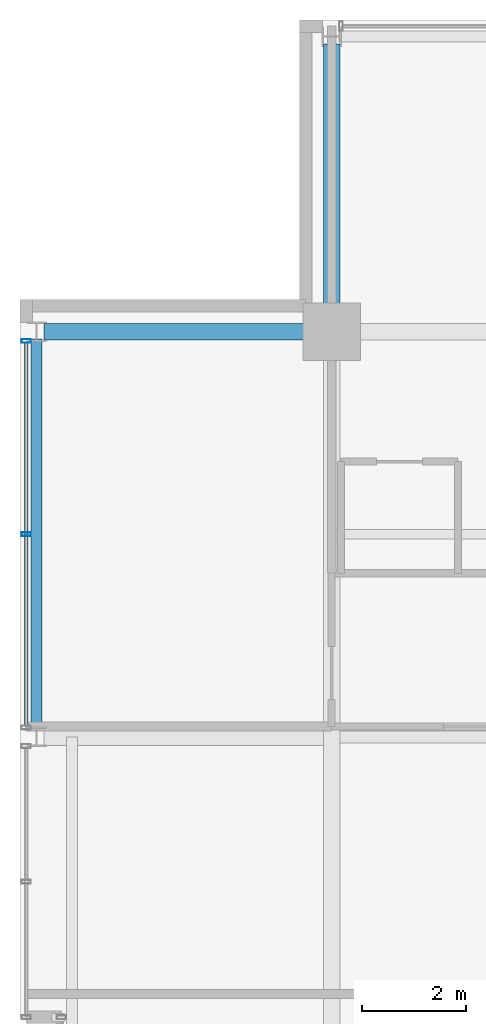
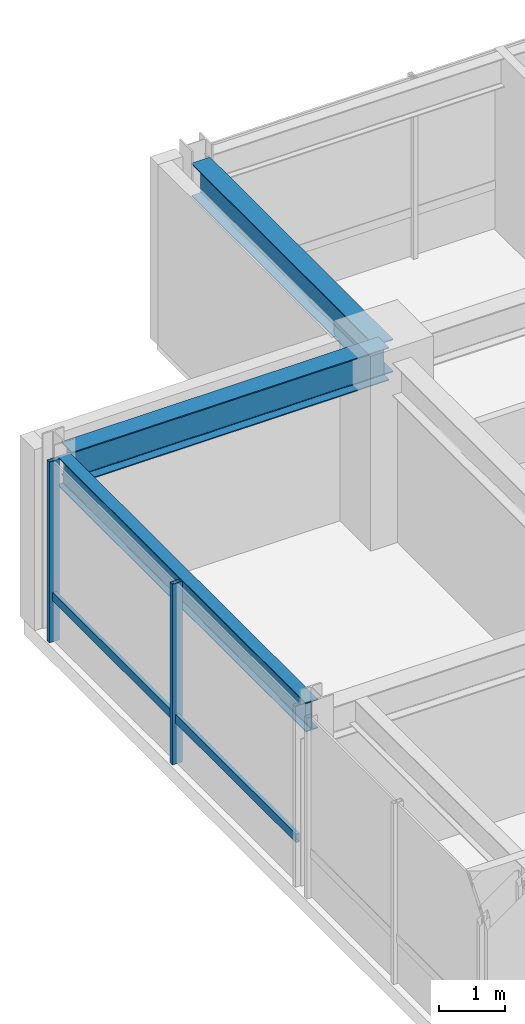
# One storey, part 18 of 32: 3 beams, 3 members, 1 element without a shape of its own.
"""IFC4 building model written with IfcOpenShell, lengths in metres."""

from ifc_helpers import new_model, si_unit, direction, frame, origin, origin_2d, place, context, subcontext, project, spatial, hollow_rectangle, i_section, extrude, material, layer, layer_set, material_profile, profile_set, type_object, element, aggregate, save


model = new_model("IFC4")

# Units and contexts
model_context = context("Model", 3, precision=1e-05, world=origin(), true_north=direction((0.0, 1.0)))
body_context = subcontext(model_context, "Body", "Model", "MODEL_VIEW")
ifc_project = project(units=[si_unit("LENGTHUNIT", "METRE"), si_unit("AREAUNIT", "SQUARE_METRE"), si_unit("VOLUMEUNIT", "CUBIC_METRE"), si_unit("PLANEANGLEUNIT", "RADIAN"), si_unit("MASSUNIT", "GRAM", prefix="KILO")], contexts=[model_context])

# Site, building, storey
site_placement = place(None, origin())
site = spatial("IfcSite", under=ifc_project, at=site_placement, CompositionType="ELEMENT")
building_placement = place(site_placement, origin())
building = spatial("IfcBuilding", under=site, at=building_placement, Name="Drelvath Grand Hotel", CompositionType="ELEMENT")
storey_placement = place(building_placement, frame((0.0, 0.0, 241.10009765625)))
storey = spatial("IfcBuildingStorey", under=building, at=storey_placement, Name="L63", CompositionType="ELEMENT", Elevation=241.10009765625)

# Curtain wall, members
ifc_material_1 = material(Name="Platinum-Mist Anodised Aluminium Frame", Category="aluminium")
ifc_layer = layer(ifc_material_1, 0.199951171875)
ifc_layer_set = layer_set([ifc_layer], Name="Platinum-Mist Anodised Aluminium Frame")
curtain_wall_type = type_object("IfcCurtainWallType", Name="Stick Curtain Wall CW-05 Platinum Mist High-Rise", PredefinedType="NOTDEFINED", material=ifc_layer_set)
curtain_wall_placement = place(storey_placement, origin())
curtain_wall = element("IfcCurtainWall", 1, at=curtain_wall_placement, inside=storey, type_object=curtain_wall_type, Name="L63 CW-05 Curtain Wall CW05-L63-WN2", PredefinedType="NOTDEFINED")
ifc_material_profile_1 = material_profile(ifc_material_1, hollow_rectangle(XDim=0.06494140625, YDim=0.159912109375, WallThickness=0.00390625, at=origin_2d()), Name="HSS160X65X4")
ifc_profile_set_1 = profile_set([ifc_material_profile_1], Name="Platinum-Mist Anodised Aluminium Frame")
member_type_1 = type_object("IfcMemberType", Name="Curtain Wall Horizontal Transom CW-05 HSS160X65X4", PredefinedType="USERDEFINED", material=ifc_profile_set_1)
member_1_placement = place(storey_placement, frame((-22.080078125, 35.6181640625, 0.8349609375), z_axis=(0.0, 1.0, 0.0), x_axis=(-1.0, 0.0, 0.0)))
member_1 = element("IfcMember", 2, at=member_1_placement, type_object=member_type_1, Name="CW05-L63-WN2 Sill Transom", ObjectType="TRANSOM", PredefinedType="USERDEFINED", context=body_context, shape_type="SweptSolid", body=[
    extrude(hollow_rectangle(XDim=0.06494140625, YDim=0.159912109375, WallThickness=0.00390625, at=origin_2d()), origin(), (0.0, 0.0, 1.0), 7.363525390625),
])
ifc_material_profile_2 = material_profile(ifc_material_1, hollow_rectangle(XDim=0.074951171875, YDim=0.179931640625, WallThickness=0.0048828125, at=origin_2d()), Name="HSS180X75X5")
ifc_profile_set_2 = profile_set([ifc_material_profile_2], Name="Platinum-Mist Anodised Aluminium Frame")
member_type_2 = type_object("IfcMemberType", Name="Curtain Wall Vertical Mullion CW-05 HSS180X75X5", PredefinedType="MULLION", material=ifc_profile_set_2)
member_2_placement = place(storey_placement, frame((-22.080078125, 39.300048828125, 0.0), z_axis=(0.0, 0.0, 1.0), x_axis=(0.0, 1.0, 0.0)))
member_2 = element("IfcMember", 3, at=member_2_placement, type_object=member_type_2, Name="CW05-L63-WN2 Mullion 2", PredefinedType="MULLION", context=body_context, shape_type="SweptSolid", body=[
    extrude(hollow_rectangle(XDim=0.074951171875, YDim=0.179931640625, WallThickness=0.0048828125, at=origin_2d()), origin(), (0.0, 0.0, 1.0), 3.33984375),
])
member_3_placement = place(storey_placement, frame((-22.080078125, 43.021728515625, 0.0), z_axis=(0.0, 0.0, 1.0), x_axis=(0.0, 1.0, 0.0)))
member_3 = element("IfcMember", 4, at=member_3_placement, type_object=member_type_2, Name="CW05-L63-WN2 Mullion 3", PredefinedType="MULLION", context=body_context, shape_type="SweptSolid", body=[
    extrude(hollow_rectangle(XDim=0.074951171875, YDim=0.179931640625, WallThickness=0.0048828125, at=origin_2d()), origin(), (0.0, 0.0, 1.0), 3.33984375),
])
aggregate(curtain_wall, [member_2, member_3, member_1])

# Beams
ifc_material_2 = material(Name="Steel ASTM A992 Gr 50", Category="steel")
ifc_material_profile_3 = material_profile(ifc_material_2, i_section(OverallWidth=0.210205078125, OverallDepth=0.53662109375, WebThickness=0.010986328125, FlangeThickness=0.017333984375, FilletRadius=0.01806640625, at=origin_2d()), Name="W21X68")
ifc_profile_set_3 = profile_set([ifc_material_profile_3], Name="Steel ASTM A992 Gr 50")
beam_type_1 = type_object("IfcBeamType", Name="Perimeter Spandrel Beam W21X68", PredefinedType="SPANDREL", material=ifc_profile_set_3)
beam_placement = place(storey_placement, frame((-21.8798828125, 35.5400390625, 3.071533203125), z_axis=(0.0, 1.0, 0.0), x_axis=(-1.0, 0.0, 0.0)))
element("IfcBeam", 5, at=beam_placement, inside=storey, type_object=beam_type_1, Name="L63 Spandrel West N", PredefinedType="SPANDREL", context=body_context, shape_type="SweptSolid", body=[
    extrude(i_section(OverallWidth=0.210205078125, OverallDepth=0.53662109375, WebThickness=0.010986328125, FlangeThickness=0.017333984375, FilletRadius=0.01806640625, at=origin_2d()), origin(), (0.0, 0.0, 1.0), 7.52001953125),
])
ifc_material_profile_4 = material_profile(ifc_material_2, i_section(OverallWidth=0.323974609375, OverallDepth=0.611083984375, WebThickness=0.0126953125, FlangeThickness=0.01904296875, FilletRadius=0.02197265625, at=origin_2d()), Name="W24X104")
ifc_profile_set_4 = profile_set([ifc_material_profile_4], Name="Steel ASTM A992 Gr 50")
beam_type_2 = type_object("IfcBeamType", Name="Primary Floor Girder W24X104", PredefinedType="BEAM", material=ifc_profile_set_4)
for number, where, z_axis, x_axis, name in (
    (6, (-21.739990234375, 43.199951171875, 3.034423828125), (1.0, 0.0, 0.0), (0.0, 1.0, 0.0), "L63 West Grid Girder G"),
    (7, (-16.199951171875, 43.199951171875, 3.034423828125), (0.0, 1.0, 0.0), (-1.0, 0.0, 0.0), "L63 North Grid Girder 3"),
):
    element("IfcBeam", number, at=place(storey_placement, frame(where, z_axis=z_axis, x_axis=x_axis)), inside=storey, type_object=beam_type_2, Name=name, PredefinedType="BEAM", context=body_context, shape_type="SweptSolid", body=[
        extrude(i_section(OverallWidth=0.323974609375, OverallDepth=0.611083984375, WebThickness=0.0126953125, FlangeThickness=0.01904296875, FilletRadius=0.02197265625, at=origin_2d()), origin(), (0.0, 0.0, 1.0), 5.5400390625),
    ])

save(model, "model.ifc")
